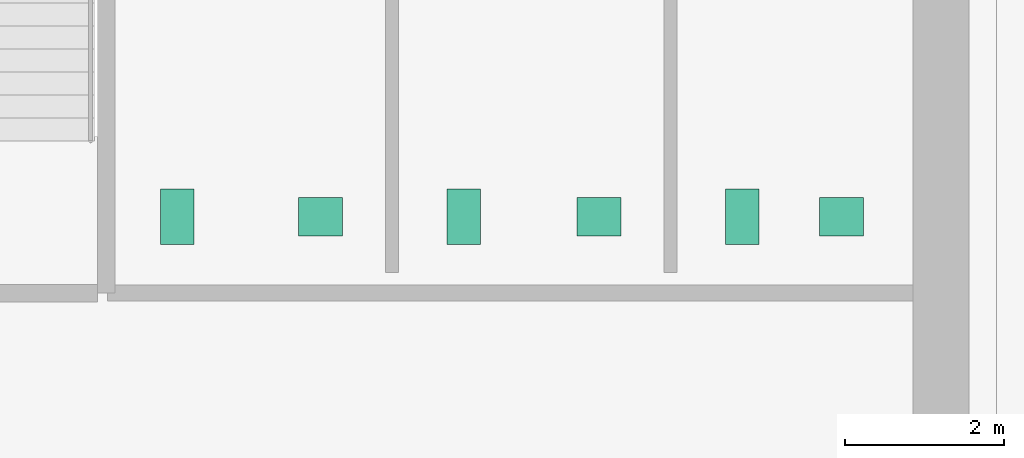
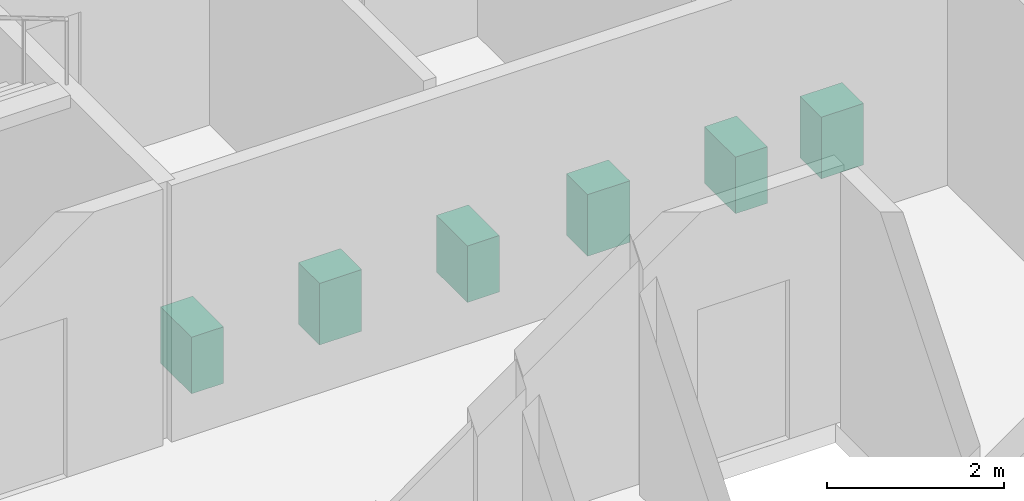
# One storey, part 11 of 11: 6 sanitary terminals.
"""IFC4 building model written with IfcOpenShell, lengths in metres."""

from ifc_helpers import new_model, si_unit, direction, frame, origin, origin_2d, place, context, subcontext, project, spatial, rectangle, extrude, material, type_object, element, save


model = new_model("IFC4")

# Units and contexts
model_context = context("Model", 3, precision=1e-05, world=origin(), true_north=direction((0.0, 1.0)))
body_context = subcontext(model_context, "Body", "Model", "MODEL_VIEW")
ifc_project = project(units=[si_unit("LENGTHUNIT", "METRE"), si_unit("AREAUNIT", "SQUARE_METRE"), si_unit("VOLUMEUNIT", "CUBIC_METRE"), si_unit("PLANEANGLEUNIT", "RADIAN"), si_unit("MASSUNIT", "GRAM", prefix="KILO")], contexts=[model_context])

# Site, building, storey
site_placement = place(None, origin())
site = spatial("IfcSite", under=ifc_project, at=site_placement, CompositionType="ELEMENT")
building_placement = place(site_placement, origin())
building = spatial("IfcBuilding", under=site, at=building_placement, Name="Norrvale University Quadrangle", CompositionType="ELEMENT")
storey_placement = place(building_placement, frame((0.0, 0.0, 120.39990234375)))
storey = spatial("IfcBuildingStorey", under=building, at=storey_placement, Name="L30", CompositionType="ELEMENT", Elevation=120.39990234375)

# Sanitary terminals
ifc_material = material(Name="Vitreous China Sanitaryware")
sanitary_terminal_type_1 = type_object("IfcSanitaryTerminalType", Name="Sanitary Wash Basin", PredefinedType="WASHHANDBASIN", material=ifc_material)
for number, where, z_axis, x_axis, name in (
    (1, (9.0, 41.10009765625, 0.0), (0.0, 0.0, 1.0), (1.0, 0.0, 0.0), "Accessible Countertop Washbasin L30-1"),
    (2, (12.5, 41.10009765625, 0.0), (0.0, 0.0, 1.0), (1.0, 0.0, 0.0), "Accessible Countertop Washbasin L30-2"),
    (3, (15.550048828125, 41.10009765625, 0.0), (0.0, 0.0, 1.0), (1.0, 0.0, 0.0), "Accessible Countertop Washbasin L30-3"),
):
    element("IfcSanitaryTerminal", number, at=place(storey_placement, frame(where, z_axis=z_axis, x_axis=x_axis)), inside=storey, type_object=sanitary_terminal_type_1, Name=name, PredefinedType="WASHHANDBASIN", context=body_context, shape_type="SweptSolid", body=[
        extrude(rectangle(XDim=0.550048828125, YDim=0.47998046875, at=origin_2d()), origin(), (0.0, 0.0, 1.0), 0.85009765625),
    ])
sanitary_terminal_type_2 = type_object("IfcSanitaryTerminalType", Name="Sanitary Water Closet", PredefinedType="TOILETPAN", material=ifc_material)
for number, where, z_axis, x_axis, name in (
    (4, (7.199951171875, 41.10009765625, 0.0), (0.0, 0.0, 1.0), (1.0, 0.0, 0.0), "Wall-Hung Water Closet L30-1"),
    (5, (10.800048828125, 41.10009765625, 0.0), (0.0, 0.0, 1.0), (1.0, 0.0, 0.0), "Wall-Hung Water Closet L30-2"),
    (6, (14.300048828125, 41.10009765625, 0.0), (0.0, 0.0, 1.0), (1.0, 0.0, 0.0), "Wall-Hung Water Closet L30-3"),
):
    element("IfcSanitaryTerminal", number, at=place(storey_placement, frame(where, z_axis=z_axis, x_axis=x_axis)), inside=storey, type_object=sanitary_terminal_type_2, Name=name, PredefinedType="TOILETPAN", context=body_context, shape_type="SweptSolid", body=[
        extrude(rectangle(XDim=0.419921875, YDim=0.699951171875, at=origin_2d()), origin(), (0.0, 0.0, 1.0), 0.780029296875),
    ])

save(model, "model.ifc")
